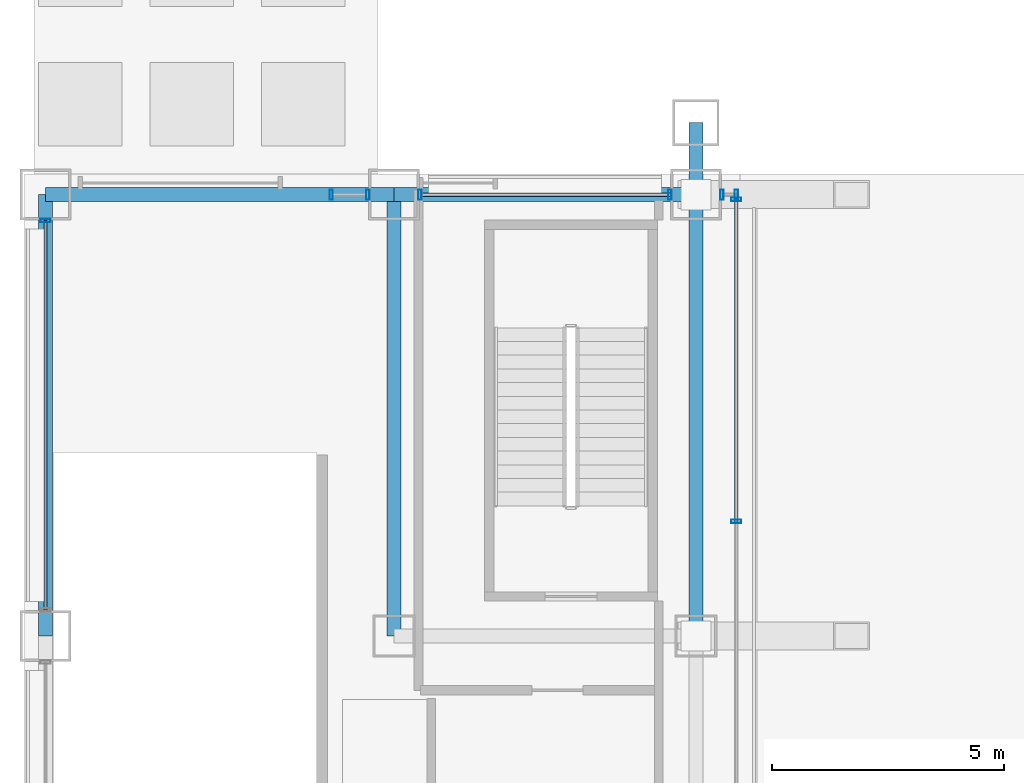
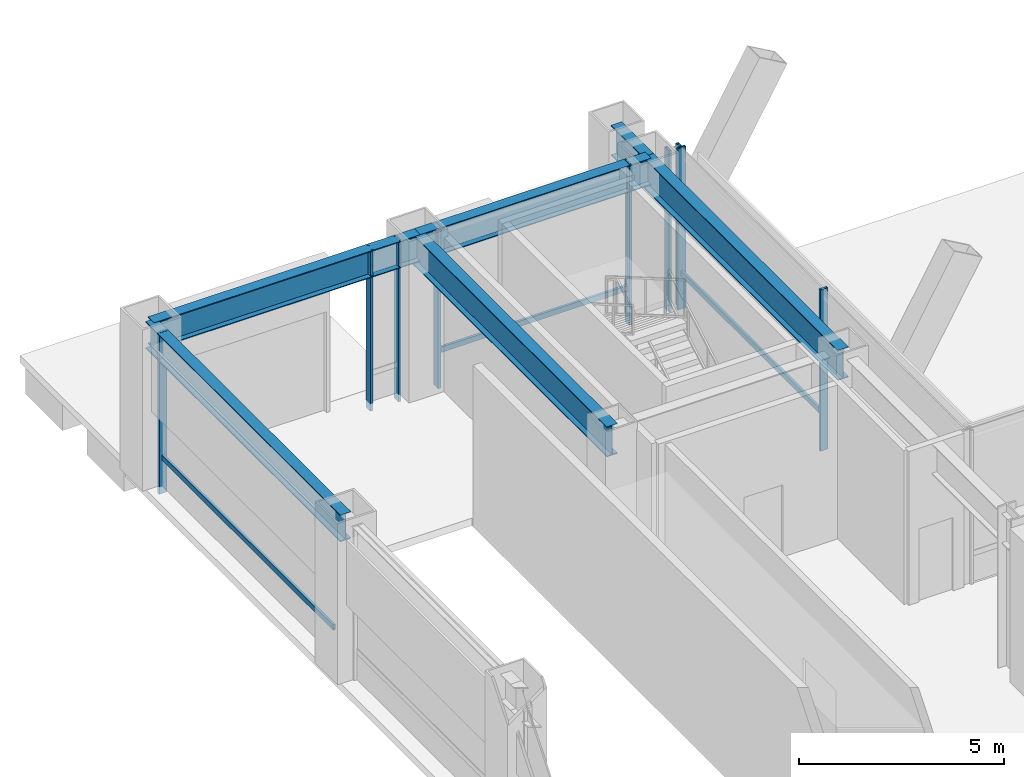
# One storey, part 15 of 37: 12 members, 6 beams, 5 elements without a shape of their own.
"""IFC4 building model written with IfcOpenShell, lengths in metres."""

from ifc_helpers import new_model, si_unit, direction, frame, origin, origin_2d, place, context, subcontext, project, spatial, hollow_rectangle, i_section, extrude, material, layer, layer_set, material_profile, profile_set, type_object, element, aggregate, save


model = new_model("IFC4")

# Units and contexts
model_context = context("Model", 3, precision=1e-05, world=origin(), true_north=direction((0.0, 1.0)))
body_context = subcontext(model_context, "Body", "Model", "MODEL_VIEW")
ifc_project = project(units=[si_unit("LENGTHUNIT", "METRE"), si_unit("AREAUNIT", "SQUARE_METRE"), si_unit("VOLUMEUNIT", "CUBIC_METRE"), si_unit("PLANEANGLEUNIT", "RADIAN"), si_unit("MASSUNIT", "GRAM", prefix="KILO")], contexts=[model_context])

# Site, building, storey
site_placement = place(None, origin())
site = spatial("IfcSite", under=ifc_project, at=site_placement, CompositionType="ELEMENT")
building_placement = place(site_placement, origin())
building = spatial("IfcBuilding", under=site, at=building_placement, Name="Brelmoor Portico Tower", CompositionType="ELEMENT")
storey_placement = place(building_placement, origin())
storey = spatial("IfcBuildingStorey", under=building, at=storey_placement, Name="L00", CompositionType="ELEMENT", Elevation=0.0)

# Beams
ifc_material_1 = material(Name="Steel Q355B", Category="steel")
ifc_material_profile_1 = material_profile(ifc_material_1, i_section(OverallWidth=0.300048828125, OverallDepth=0.89990234375, WebThickness=0.01611328125, FlangeThickness=0.028076171875, at=origin_2d()), Name="HN 900x300x16x28")
ifc_profile_set_1 = profile_set([ifc_material_profile_1], Name="Steel Q355B")
beam_type_1 = type_object("IfcBeamType", Name="BM-PG-900", PredefinedType="BEAM", material=ifc_profile_set_1)
for number, where, z_axis, x_axis, name in (
    (1, (-21.050048828125, 18.050048828125, 4.1298828125), (0.0, 1.0, 0.0), (-1.0, 0.0, 0.0), "L00 Primary Floor Girder PG-02"),
    (2, (-14.550048828125, 18.050048828125, 4.1298828125), (0.0, 1.0, 0.0), (-1.0, 0.0, 0.0), "L00 Primary Floor Girder PG-09"),
):
    element("IfcBeam", number, at=place(storey_placement, frame(where, z_axis=z_axis, x_axis=x_axis)), inside=storey, type_object=beam_type_1, Name=name, PredefinedType="BEAM", context=body_context, shape_type="SweptSolid", body=[
        extrude(i_section(OverallWidth=0.300048828125, OverallDepth=0.89990234375, WebThickness=0.01611328125, FlangeThickness=0.028076171875, at=origin_2d()), origin(), (0.0, 0.0, 1.0), 9.5),
    ])
beam_1_placement = place(storey_placement, frame((-14.550048828125, 27.550048828125, 4.1298828125), z_axis=(0.0, 1.0, 0.0), x_axis=(-1.0, 0.0, 0.0)))
element("IfcBeam", 3, at=beam_1_placement, inside=storey, type_object=beam_type_1, Name="L00 Primary Floor Girder PG-10", PredefinedType="BEAM", context=body_context, shape_type="SweptSolid", body=[
    extrude(i_section(OverallWidth=0.300048828125, OverallDepth=0.89990234375, WebThickness=0.01611328125, FlangeThickness=0.028076171875, at=origin_2d()), origin(), (0.0, 0.0, 1.0), 1.550048828125),
])
ifc_material_profile_2 = material_profile(ifc_material_1, i_section(OverallWidth=0.300048828125, OverallDepth=0.800048828125, WebThickness=0.013916015625, FlangeThickness=0.02587890625, at=origin_2d()), Name="HN 800x300x14x26")
ifc_profile_set_2 = profile_set([ifc_material_profile_2], Name="Steel Q355B")
beam_type_2 = type_object("IfcBeamType", Name="BM-SP-800", PredefinedType="SPANDREL", material=ifc_profile_set_2)
beam_2_placement = place(storey_placement, frame((-28.550048828125, 27.550048828125, 4.179931640625), z_axis=(1.0, 0.0, 0.0), x_axis=(0.0, 1.0, 0.0)))
element("IfcBeam", 4, at=beam_2_placement, inside=storey, type_object=beam_type_2, Name="L00 Perimeter Spandrel Beam SP-05", PredefinedType="SPANDREL", context=body_context, shape_type="SweptSolid", body=[
    extrude(i_section(OverallWidth=0.300048828125, OverallDepth=0.800048828125, WebThickness=0.013916015625, FlangeThickness=0.02587890625, at=origin_2d()), origin(), (0.0, 0.0, 1.0), 7.5),
])
beam_3_placement = place(storey_placement, frame((-21.050048828125, 27.550048828125, 4.179931640625), z_axis=(1.0, 0.0, 0.0), x_axis=(0.0, 1.0, 0.0)))
element("IfcBeam", 5, at=beam_3_placement, inside=storey, type_object=beam_type_2, Name="L00 Perimeter Spandrel Beam SP-06", PredefinedType="SPANDREL", context=body_context, shape_type="SweptSolid", body=[
    extrude(i_section(OverallWidth=0.300048828125, OverallDepth=0.800048828125, WebThickness=0.013916015625, FlangeThickness=0.02587890625, at=origin_2d()), origin(), (0.0, 0.0, 1.0), 6.5),
])
beam_4_placement = place(storey_placement, frame((-28.550048828125, 18.050048828125, 4.179931640625), z_axis=(0.0, 1.0, 0.0), x_axis=(-1.0, 0.0, 0.0)))
element("IfcBeam", 6, at=beam_4_placement, inside=storey, type_object=beam_type_2, Name="L00 Perimeter Spandrel Beam SP-14", PredefinedType="SPANDREL", context=body_context, shape_type="SweptSolid", body=[
    extrude(i_section(OverallWidth=0.300048828125, OverallDepth=0.800048828125, WebThickness=0.013916015625, FlangeThickness=0.02587890625, at=origin_2d()), origin(), (0.0, 0.0, 1.0), 9.5),
])

# Curtain wall, members
ifc_material_2 = material(Name="Anodised Aluminium Alloy 6063-T6", Category="aluminium")
ifc_layer = layer(ifc_material_2, 0.179931640625)
ifc_layer_set = layer_set([ifc_layer], Name="Anodised Aluminium Alloy 6063-T6")
curtain_wall_type = type_object("IfcCurtainWallType", Name="CW-PODIUM-ARCH", PredefinedType="NOTDEFINED", material=ifc_layer_set)
curtain_wall_1_placement = place(storey_placement, origin())
curtain_wall_1 = element("IfcCurtainWall", 7, at=curtain_wall_1_placement, inside=storey, type_object=curtain_wall_type, Name="L00 Curtain Wall CW-L00-03-1", PredefinedType="NOTDEFINED")
ifc_material_profile_3 = material_profile(ifc_material_2, hollow_rectangle(XDim=0.074951171875, YDim=0.219970703125, WallThickness=0.0048828125, at=origin_2d()), Name="ALU MULLION 75x220")
ifc_profile_set_3 = profile_set([ifc_material_profile_3], Name="Anodised Aluminium Alloy 6063-T6")
member_type_1 = type_object("IfcMemberType", Name="MB-CW-MULL-220", PredefinedType="MULLION", material=ifc_profile_set_3)
member_1_placement = place(storey_placement, frame((-22.39990234375, 27.550048828125, -0.219970703125), z_axis=(0.0, 0.0, 1.0), x_axis=(1.0, 0.0, 0.0)))
member_1 = element("IfcMember", 8, at=member_1_placement, type_object=member_type_1, Name="CW-L00-03-1 Mullion 00", PredefinedType="MULLION", context=body_context, shape_type="SweptSolid", body=[
    extrude(hollow_rectangle(XDim=0.074951171875, YDim=0.219970703125, WallThickness=0.0048828125, at=origin_2d()), origin(), (0.0, 0.0, 1.0), 4.800048828125),
])
member_2_placement = place(storey_placement, frame((-21.610107421875, 27.550048828125, -0.219970703125), z_axis=(0.0, 0.0, 1.0), x_axis=(1.0, 0.0, 0.0)))
member_2 = element("IfcMember", 9, at=member_2_placement, type_object=member_type_1, Name="CW-L00-03-1 Mullion 01", PredefinedType="MULLION", context=body_context, shape_type="SweptSolid", body=[
    extrude(hollow_rectangle(XDim=0.074951171875, YDim=0.219970703125, WallThickness=0.0048828125, at=origin_2d()), origin(), (0.0, 0.0, 1.0), 4.800048828125),
])
aggregate(curtain_wall_1, [member_1, member_2])

curtain_wall_2_placement = place(storey_placement, origin())
curtain_wall_2 = element("IfcCurtainWall", 10, at=curtain_wall_2_placement, inside=storey, type_object=curtain_wall_type, Name="L00 Curtain Wall CW-L00-03-2", PredefinedType="NOTDEFINED")
member_3_placement = place(storey_placement, frame((-20.489990234375, 27.550048828125, -0.219970703125), z_axis=(0.0, 0.0, 1.0), x_axis=(1.0, 0.0, 0.0)))
member_3 = element("IfcMember", 11, at=member_3_placement, type_object=member_type_1, Name="CW-L00-03-2 Mullion 00", PredefinedType="MULLION", context=body_context, shape_type="SweptSolid", body=[
    extrude(hollow_rectangle(XDim=0.074951171875, YDim=0.219970703125, WallThickness=0.0048828125, at=origin_2d()), origin(), (0.0, 0.0, 1.0), 4.800048828125),
])
member_4_placement = place(storey_placement, frame((-15.110107421875, 27.550048828125, -0.219970703125), z_axis=(0.0, 0.0, 1.0), x_axis=(1.0, 0.0, 0.0)))
member_4 = element("IfcMember", 12, at=member_4_placement, type_object=member_type_1, Name="CW-L00-03-2 Mullion 01", PredefinedType="MULLION", context=body_context, shape_type="SweptSolid", body=[
    extrude(hollow_rectangle(XDim=0.074951171875, YDim=0.219970703125, WallThickness=0.0048828125, at=origin_2d()), origin(), (0.0, 0.0, 1.0), 4.800048828125),
])

curtain_wall_3_placement = place(storey_placement, origin())
curtain_wall_3 = element("IfcCurtainWall", 13, at=curtain_wall_3_placement, inside=storey, type_object=curtain_wall_type, Name="L00 Curtain Wall CW-L00-03-3", PredefinedType="NOTDEFINED")
member_5_placement = place(storey_placement, frame((-13.989990234375, 27.550048828125, -0.219970703125), z_axis=(0.0, 0.0, 1.0), x_axis=(1.0, 0.0, 0.0)))
member_5 = element("IfcMember", 14, at=member_5_placement, type_object=member_type_1, Name="CW-L00-03-3 Mullion 00", PredefinedType="MULLION", context=body_context, shape_type="SweptSolid", body=[
    extrude(hollow_rectangle(XDim=0.074951171875, YDim=0.219970703125, WallThickness=0.0048828125, at=origin_2d()), origin(), (0.0, 0.0, 1.0), 4.800048828125),
])
member_6_placement = place(storey_placement, frame((-13.679931640625, 27.550048828125, -0.219970703125), z_axis=(0.0, 0.0, 1.0), x_axis=(1.0, 0.0, 0.0)))
member_6 = element("IfcMember", 15, at=member_6_placement, type_object=member_type_1, Name="CW-L00-03-3 Mullion 01", PredefinedType="MULLION", context=body_context, shape_type="SweptSolid", body=[
    extrude(hollow_rectangle(XDim=0.074951171875, YDim=0.219970703125, WallThickness=0.0048828125, at=origin_2d()), origin(), (0.0, 0.0, 1.0), 4.800048828125),
])
aggregate(curtain_wall_3, [member_5, member_6])

# Curtain wall, member
curtain_wall_4_placement = place(storey_placement, origin())
curtain_wall_4 = element("IfcCurtainWall", 16, at=curtain_wall_4_placement, inside=storey, type_object=curtain_wall_type, Name="L00 Curtain Wall CW-L00-05-6", PredefinedType="NOTDEFINED")
member_7_placement = place(storey_placement, frame((-28.550048828125, 26.989990234375, -0.219970703125), z_axis=(0.0, 0.0, 1.0), x_axis=(0.0, 1.0, 0.0)))
member_7 = element("IfcMember", 17, at=member_7_placement, type_object=member_type_1, Name="CW-L00-05-6 Mullion 01", PredefinedType="MULLION", context=body_context, shape_type="SweptSolid", body=[
    extrude(hollow_rectangle(XDim=0.074951171875, YDim=0.219970703125, WallThickness=0.0048828125, at=origin_2d()), origin(), (0.0, 0.0, 1.0), 4.800048828125),
])

# Curtain wall, members
curtain_wall_5_placement = place(storey_placement, origin())
curtain_wall_5 = element("IfcCurtainWall", 18, at=curtain_wall_5_placement, inside=storey, type_object=curtain_wall_type, Name="L00 Curtain Wall CW-L00-09", PredefinedType="NOTDEFINED")
member_8_placement = place(storey_placement, frame((-13.679931640625, 20.514892578125, -0.219970703125), z_axis=(0.0, 0.0, 1.0), x_axis=(0.0, 1.0, 0.0)))
member_8 = element("IfcMember", 19, at=member_8_placement, type_object=member_type_1, Name="CW-L00-09 Mullion 01", PredefinedType="MULLION", context=body_context, shape_type="SweptSolid", body=[
    extrude(hollow_rectangle(XDim=0.074951171875, YDim=0.219970703125, WallThickness=0.0048828125, at=origin_2d()), origin(), (0.0, 0.0, 1.0), 4.800048828125),
])
member_9_placement = place(storey_placement, frame((-13.679931640625, 27.449951171875, -0.219970703125), z_axis=(0.0, 0.0, 1.0), x_axis=(0.0, 1.0, 0.0)))
member_9 = element("IfcMember", 20, at=member_9_placement, type_object=member_type_1, Name="CW-L00-09 Mullion 02", PredefinedType="MULLION", context=body_context, shape_type="SweptSolid", body=[
    extrude(hollow_rectangle(XDim=0.074951171875, YDim=0.219970703125, WallThickness=0.0048828125, at=origin_2d()), origin(), (0.0, 0.0, 1.0), 4.800048828125),
])

# Member
ifc_material_profile_4 = material_profile(ifc_material_2, hollow_rectangle(XDim=0.070068359375, YDim=0.159912109375, WallThickness=0.00390625, at=origin_2d()), Name="ALU TRANSOM 70x160")
ifc_profile_set_4 = profile_set([ifc_material_profile_4], Name="Anodised Aluminium Alloy 6063-T6")
member_type_2 = type_object("IfcMemberType", Name="MB-CW-TRAN-160", PredefinedType="USERDEFINED", material=ifc_profile_set_4)
member_10_placement = place(storey_placement, frame((-20.489990234375, 27.550048828125, 0.85009765625), z_axis=(1.0, 0.0, 0.0), x_axis=(0.0, 1.0, 0.0)))
member_10 = element("IfcMember", 21, at=member_10_placement, type_object=member_type_2, Name="CW-L00-03-2 Transom 1-00", ObjectType="TRANSOM", PredefinedType="USERDEFINED", context=body_context, shape_type="SweptSolid", body=[
    extrude(hollow_rectangle(XDim=0.070068359375, YDim=0.159912109375, WallThickness=0.00390625, at=origin_2d()), origin(), (0.0, 0.0, 1.0), 5.3798828125),
])

aggregate(curtain_wall_2, [member_3, member_4, member_10])

member_11_placement = place(storey_placement, frame((-28.550048828125, 18.610107421875, 0.85009765625), z_axis=(0.0, 1.0, 0.0), x_axis=(-1.0, 0.0, 0.0)))
member_11 = element("IfcMember", 22, at=member_11_placement, type_object=member_type_2, Name="CW-L00-05-6 Transom 1-00", ObjectType="TRANSOM", PredefinedType="USERDEFINED", context=body_context, shape_type="SweptSolid", body=[
    extrude(hollow_rectangle(XDim=0.070068359375, YDim=0.159912109375, WallThickness=0.00390625, at=origin_2d()), origin(), (0.0, 0.0, 1.0), 8.3798828125),
])

aggregate(curtain_wall_4, [member_7, member_11])

member_12_placement = place(storey_placement, frame((-13.679931640625, 20.514892578125, 0.85009765625), z_axis=(0.0, 1.0, 0.0), x_axis=(-1.0, 0.0, 0.0)))
member_12 = element("IfcMember", 23, at=member_12_placement, type_object=member_type_2, Name="CW-L00-09 Transom 1-01", ObjectType="TRANSOM", PredefinedType="USERDEFINED", context=body_context, shape_type="SweptSolid", body=[
    extrude(hollow_rectangle(XDim=0.070068359375, YDim=0.159912109375, WallThickness=0.00390625, at=origin_2d()), origin(), (0.0, 0.0, 1.0), 6.93505859375),
])

aggregate(curtain_wall_5, [member_8, member_9, member_12])

save(model, "model.ifc")
